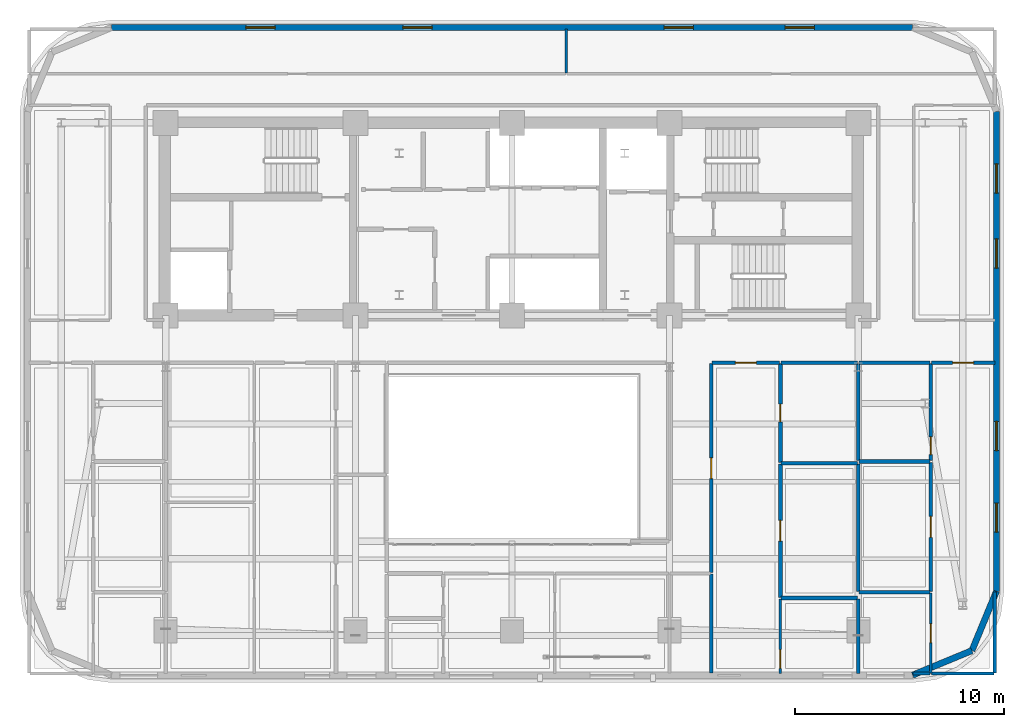
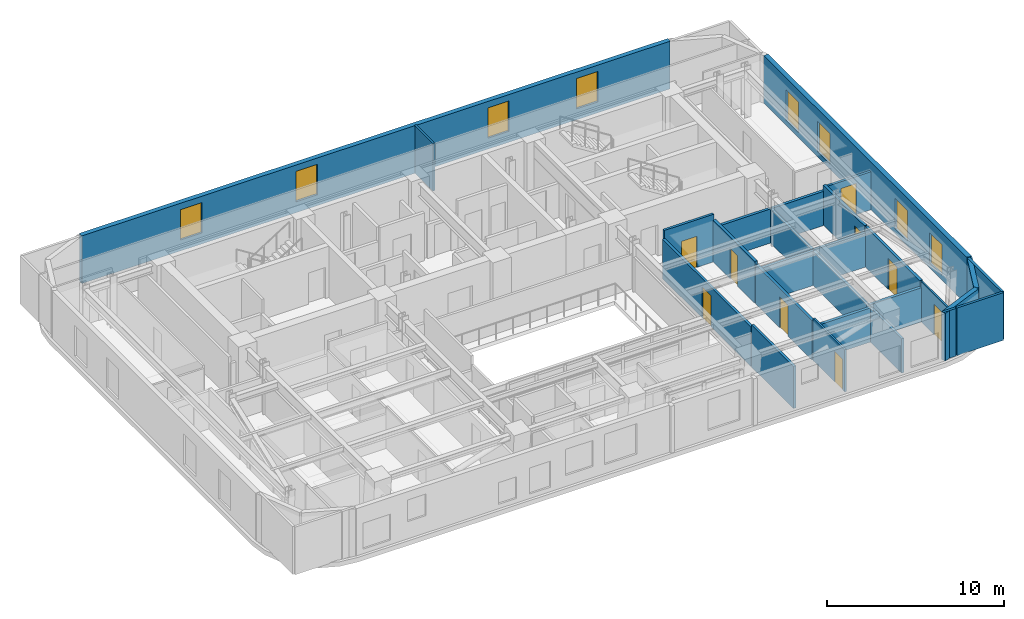
# One storey, part 9 of 13: 27 walls, 9 doors, 8 windows, 17 openings.
"""IFC4 building model written with IfcOpenShell, lengths in metres."""

from ifc_helpers import new_model, si_unit, direction, frame, frame_2d, origin, place, context, subcontext, project, spatial, rectangle, extrude, material, layer, layer_set, type_object, element, fill, save


model = new_model("IFC4")

# Units and contexts
model_context = context("Model", 3, precision=1e-05, world=origin(), true_north=direction((0.0, 1.0)))
body_context = subcontext(model_context, "Body", "Model", "MODEL_VIEW")
ifc_project = project(units=[si_unit("LENGTHUNIT", "METRE"), si_unit("AREAUNIT", "SQUARE_METRE"), si_unit("VOLUMEUNIT", "CUBIC_METRE"), si_unit("PLANEANGLEUNIT", "RADIAN"), si_unit("MASSUNIT", "GRAM", prefix="KILO")], contexts=[model_context])

# Site, building, storey
site_placement = place(None, origin())
site = spatial("IfcSite", under=ifc_project, at=site_placement, CompositionType="ELEMENT")
building_placement = place(site_placement, origin())
building = spatial("IfcBuilding", under=site, at=building_placement, Name="Zarnavel Station Tower", CompositionType="ELEMENT")
storey_placement = place(building_placement, frame((0.0, 0.0, 148.35009765625)))
storey = spatial("IfcBuildingStorey", under=building, at=storey_placement, Name="L40", CompositionType="ELEMENT", Elevation=148.35009765625)

# Walls
ifc_material_1 = material(Name="Precast concrete C45/55 (Dark Basalt Finish)", Category="masonry")
ifc_layer_1 = layer(ifc_material_1, 0.300048828125)
ifc_layer_set_1 = layer_set([ifc_layer_1], Name="EW_BASALT_300")
wall_type_1 = type_object("IfcWallType", Name="EW_BASALT_300", PredefinedType="SOLIDWALL", material=ifc_layer_set_1)
wall_1_placement = place(storey_placement, frame((50.842529296875, 11.75732421875, 0.0), z_axis=(0.0, 0.0, 1.0), x_axis=(-0.92389884758, -0.382636798336, 0.0)))
element("IfcWall", 1, at=wall_1_placement, inside=storey, type_object=wall_type_1, Name="L40 Exterior Basalt Masonry Frame Wall 01", PredefinedType="SOLIDWALL", context=body_context, shape_type="SweptSolid", body=[
    extrude(rectangle(XDim=3.07666015625, YDim=0.300048828125, at=frame_2d((1.538330078125, 0.0))), origin(), (0.0, 0.0, 1.0), 3.289794921875),
])
wall_2_placement = place(storey_placement, frame((52.02001953125, 14.60009765625, 0.0), z_axis=(0.0, 0.0, 1.0), x_axis=(-0.382676475685, -0.923882414032, 0.0)))
element("IfcWall", 2, at=wall_2_placement, inside=storey, type_object=wall_type_1, Name="L40 Exterior Basalt Masonry Frame Wall 02", PredefinedType="SOLIDWALL", context=body_context, shape_type="SweptSolid", body=[
    extrude(rectangle(XDim=3.076904296875, YDim=0.300048828125, at=frame_2d((1.53857421875, 0.0))), origin(), (0.0, 0.0, 1.0), 3.289794921875),
])

# Wall, openings, windows
wall_3_placement = place(storey_placement, frame((52.02001953125, 37.60009765625, 0.0), z_axis=(0.0, 0.0, 1.0), x_axis=(0.0, -1.0, 0.0)))
wall_3 = element("IfcWall", 3, at=wall_3_placement, inside=storey, type_object=wall_type_1, Name="L40 Exterior Basalt Masonry Frame Wall 03", PredefinedType="SOLIDWALL", context=body_context, shape_type="SweptSolid", body=[
    extrude(rectangle(XDim=23.0, YDim=0.300048828125, at=frame_2d((11.5, 0.0))), origin(), (0.0, 0.0, 1.0), 3.289794921875),
])
opening_1_placement = place(wall_3_placement, frame((2.51318359375, 0.0, 0.340087890625)))
opening_1 = element("IfcOpeningElement", 4, at=opening_1_placement, cuts=wall_3, Name="Opening WN04", PredefinedType="OPENING", context=body_context, shape_type="SweptSolid", body=[
    extrude(rectangle(XDim=1.39990234375, YDim=2.10009765625, at=frame_2d((0.699951171875, 1.050048828125))), frame((0.0, 0.159912109375, 0.0), z_axis=(0.0, -1.0, 0.0), x_axis=(1.0, 0.0, 0.0)), (0.0, 0.0, 1.0), 0.320068359375),
])
opening_2_placement = place(wall_3_placement, frame((6.106689453125, 0.0, 0.340087890625)))
opening_2 = element("IfcOpeningElement", 5, at=opening_2_placement, cuts=wall_3, Name="Opening WN04", PredefinedType="OPENING", context=body_context, shape_type="SweptSolid", body=[
    extrude(rectangle(XDim=1.39990234375, YDim=2.10009765625, at=frame_2d((0.699951171875, 1.050048828125))), frame((0.0, 0.159912109375, 0.0), z_axis=(0.0, -1.0, 0.0), x_axis=(1.0, 0.0, 0.0)), (0.0, 0.0, 1.0), 0.320068359375),
])
opening_3_placement = place(wall_3_placement, frame((14.860107421875, 0.0, 0.340087890625)))
opening_3 = element("IfcOpeningElement", 6, at=opening_3_placement, cuts=wall_3, Name="Opening WN04", PredefinedType="OPENING", context=body_context, shape_type="SweptSolid", body=[
    extrude(rectangle(XDim=1.39990234375, YDim=2.10009765625, at=frame_2d((0.699951171875, 1.050048828125))), frame((0.0, 0.159912109375, 0.0), z_axis=(0.0, -1.0, 0.0), x_axis=(1.0, 0.0, 0.0)), (0.0, 0.0, 1.0), 0.320068359375),
])
opening_4_placement = place(wall_3_placement, frame((18.77001953125, 0.0, 0.340087890625)))
opening_4 = element("IfcOpeningElement", 7, at=opening_4_placement, cuts=wall_3, Name="Opening WN04", PredefinedType="OPENING", context=body_context, shape_type="SweptSolid", body=[
    extrude(rectangle(XDim=1.39990234375, YDim=2.10009765625, at=frame_2d((0.699951171875, 1.050048828125))), frame((0.0, 0.159912109375, 0.0), z_axis=(0.0, -1.0, 0.0), x_axis=(1.0, 0.0, 0.0)), (0.0, 0.0, 1.0), 0.320068359375),
])
ifc_material_2 = material(Name="Thermally Broken Black Aluminium and Low-E Dark Glass", Category="aluminium")
window_type = type_object("IfcWindowType", Name="WN_1400x2100", PartitioningType="DOUBLE_PANEL_VERTICAL", PredefinedType="WINDOW", material=ifc_material_2)
window_1_placement = place(opening_1_placement, origin())
window_1 = element("IfcWindow", 8, at=window_1_placement, inside=storey, type_object=window_type, Name="L40 Recessed Facade Window 01", OverallHeight=2.10009765625, OverallWidth=1.39990234375, PartitioningType="SINGLE_PANEL", PredefinedType="WINDOW", context=body_context, shape_type="SweptSolid", body=[
    extrude(rectangle(XDim=1.39990234375, YDim=2.10009765625, at=frame_2d((0.699951171875, 1.050048828125))), frame((0.0, 0.030029296875, 0.0), z_axis=(0.0, -1.0, 0.0), x_axis=(1.0, 0.0, 0.0)), (0.0, 0.0, 1.0), 0.06005859375),
])
fill(opening_1, window_1)
window_2_placement = place(opening_2_placement, origin())
window_2 = element("IfcWindow", 9, at=window_2_placement, inside=storey, type_object=window_type, Name="L40 Recessed Facade Window 02", OverallHeight=2.10009765625, OverallWidth=1.39990234375, PartitioningType="SINGLE_PANEL", PredefinedType="WINDOW", context=body_context, shape_type="SweptSolid", body=[
    extrude(rectangle(XDim=1.39990234375, YDim=2.10009765625, at=frame_2d((0.699951171875, 1.050048828125))), frame((0.0, 0.030029296875, 0.0), z_axis=(0.0, -1.0, 0.0), x_axis=(1.0, 0.0, 0.0)), (0.0, 0.0, 1.0), 0.06005859375),
])
fill(opening_2, window_2)
window_3_placement = place(opening_3_placement, origin())
window_3 = element("IfcWindow", 10, at=window_3_placement, inside=storey, type_object=window_type, Name="L40 Recessed Facade Window 03", OverallHeight=2.10009765625, OverallWidth=1.39990234375, PartitioningType="SINGLE_PANEL", PredefinedType="WINDOW", context=body_context, shape_type="SweptSolid", body=[
    extrude(rectangle(XDim=1.39990234375, YDim=2.10009765625, at=frame_2d((0.699951171875, 1.050048828125))), frame((0.0, 0.030029296875, 0.0), z_axis=(0.0, -1.0, 0.0), x_axis=(1.0, 0.0, 0.0)), (0.0, 0.0, 1.0), 0.06005859375),
])
fill(opening_3, window_3)
window_4_placement = place(opening_4_placement, origin())
window_4 = element("IfcWindow", 11, at=window_4_placement, inside=storey, type_object=window_type, Name="L40 Recessed Facade Window 04", OverallHeight=2.10009765625, OverallWidth=1.39990234375, PartitioningType="SINGLE_PANEL", PredefinedType="WINDOW", context=body_context, shape_type="SweptSolid", body=[
    extrude(rectangle(XDim=1.39990234375, YDim=2.10009765625, at=frame_2d((0.699951171875, 1.050048828125))), frame((0.0, 0.030029296875, 0.0), z_axis=(0.0, -1.0, 0.0), x_axis=(1.0, 0.0, 0.0)), (0.0, 0.0, 1.0), 0.06005859375),
])
fill(opening_4, window_4)

wall_4_placement = place(storey_placement, frame((9.60009765625, 41.6201171875, 0.0), z_axis=(0.0, 0.0, 1.0), x_axis=(1.0, 0.0, 0.0)))
wall_4 = element("IfcWall", 12, at=wall_4_placement, inside=storey, type_object=wall_type_1, Name="L40 Exterior Basalt Masonry Frame Wall 06", PredefinedType="SOLIDWALL", context=body_context, shape_type="SweptSolid", body=[
    extrude(rectangle(XDim=38.39990234375, YDim=0.300048828125, at=frame_2d((19.199951171875, 0.0))), origin(), (0.0, 0.0, 1.0), 3.289794921875),
])
opening_5_placement = place(wall_4_placement, frame((6.44677734375, 0.0, 0.75)))
opening_5 = element("IfcOpeningElement", 13, at=opening_5_placement, cuts=wall_4, Name="Opening WN04", PredefinedType="OPENING", context=body_context, shape_type="SweptSolid", body=[
    extrude(rectangle(XDim=1.39990234375, YDim=2.10009765625, at=frame_2d((0.699951171875, 1.050048828125))), frame((0.0, 0.159912109375, 0.0), z_axis=(0.0, -1.0, 0.0), x_axis=(1.0, 0.0, 0.0)), (0.0, 0.0, 1.0), 0.320068359375),
])
opening_6_placement = place(wall_4_placement, frame((13.973388671875, 0.0, 0.75)))
opening_6 = element("IfcOpeningElement", 14, at=opening_6_placement, cuts=wall_4, Name="Opening WN04", PredefinedType="OPENING", context=body_context, shape_type="SweptSolid", body=[
    extrude(rectangle(XDim=1.39990234375, YDim=2.10009765625, at=frame_2d((0.699951171875, 1.050048828125))), frame((0.0, 0.159912109375, 0.0), z_axis=(0.0, -1.0, 0.0), x_axis=(1.0, 0.0, 0.0)), (0.0, 0.0, 1.0), 0.320068359375),
])
opening_7_placement = place(wall_4_placement, frame((26.493408203125, 0.0, 0.75)))
opening_7 = element("IfcOpeningElement", 15, at=opening_7_placement, cuts=wall_4, Name="Opening WN04", PredefinedType="OPENING", context=body_context, shape_type="SweptSolid", body=[
    extrude(rectangle(XDim=1.39990234375, YDim=2.10009765625, at=frame_2d((0.699951171875, 1.050048828125))), frame((0.0, 0.159912109375, 0.0), z_axis=(0.0, -1.0, 0.0), x_axis=(1.0, 0.0, 0.0)), (0.0, 0.0, 1.0), 0.320068359375),
])
opening_8_placement = place(wall_4_placement, frame((32.28662109375, 0.0, 0.75)))
opening_8 = element("IfcOpeningElement", 16, at=opening_8_placement, cuts=wall_4, Name="Opening WN04", PredefinedType="OPENING", context=body_context, shape_type="SweptSolid", body=[
    extrude(rectangle(XDim=1.39990234375, YDim=2.10009765625, at=frame_2d((0.699951171875, 1.050048828125))), frame((0.0, 0.159912109375, 0.0), z_axis=(0.0, -1.0, 0.0), x_axis=(1.0, 0.0, 0.0)), (0.0, 0.0, 1.0), 0.320068359375),
])
window_5_placement = place(opening_5_placement, origin())
window_5 = element("IfcWindow", 17, at=window_5_placement, inside=storey, type_object=window_type, Name="L40 Recessed Facade Window 01", OverallHeight=2.10009765625, OverallWidth=1.39990234375, PartitioningType="SINGLE_PANEL", PredefinedType="WINDOW", context=body_context, shape_type="SweptSolid", body=[
    extrude(rectangle(XDim=1.39990234375, YDim=2.10009765625, at=frame_2d((0.699951171875, 1.050048828125))), frame((0.0, 0.030029296875, 0.0), z_axis=(0.0, -1.0, 0.0), x_axis=(1.0, 0.0, 0.0)), (0.0, 0.0, 1.0), 0.06005859375),
])
fill(opening_5, window_5)
window_6_placement = place(opening_6_placement, origin())
window_6 = element("IfcWindow", 18, at=window_6_placement, inside=storey, type_object=window_type, Name="L40 Recessed Facade Window 02", OverallHeight=2.10009765625, OverallWidth=1.39990234375, PartitioningType="SINGLE_PANEL", PredefinedType="WINDOW", context=body_context, shape_type="SweptSolid", body=[
    extrude(rectangle(XDim=1.39990234375, YDim=2.10009765625, at=frame_2d((0.699951171875, 1.050048828125))), frame((0.0, 0.030029296875, 0.0), z_axis=(0.0, -1.0, 0.0), x_axis=(1.0, 0.0, 0.0)), (0.0, 0.0, 1.0), 0.06005859375),
])
fill(opening_6, window_6)
window_7_placement = place(opening_7_placement, origin())
window_7 = element("IfcWindow", 19, at=window_7_placement, inside=storey, type_object=window_type, Name="L40 Recessed Facade Window 03", OverallHeight=2.10009765625, OverallWidth=1.39990234375, PartitioningType="SINGLE_PANEL", PredefinedType="WINDOW", context=body_context, shape_type="SweptSolid", body=[
    extrude(rectangle(XDim=1.39990234375, YDim=2.10009765625, at=frame_2d((0.699951171875, 1.050048828125))), frame((0.0, 0.030029296875, 0.0), z_axis=(0.0, -1.0, 0.0), x_axis=(1.0, 0.0, 0.0)), (0.0, 0.0, 1.0), 0.06005859375),
])
fill(opening_7, window_7)
window_8_placement = place(opening_8_placement, origin())
window_8 = element("IfcWindow", 20, at=window_8_placement, inside=storey, type_object=window_type, Name="L40 Recessed Facade Window 04", OverallHeight=2.10009765625, OverallWidth=1.39990234375, PartitioningType="SINGLE_PANEL", PredefinedType="WINDOW", context=body_context, shape_type="SweptSolid", body=[
    extrude(rectangle(XDim=1.39990234375, YDim=2.10009765625, at=frame_2d((0.699951171875, 1.050048828125))), frame((0.0, 0.030029296875, 0.0), z_axis=(0.0, -1.0, 0.0), x_axis=(1.0, 0.0, 0.0)), (0.0, 0.0, 1.0), 0.06005859375),
])
fill(opening_8, window_8)

# Wall, opening, door
ifc_material_3 = material(Name="Gypsum Twin-Stud Acoustic Fire Partition", Category="concrete")
ifc_layer_2 = layer(ifc_material_3, 0.159912109375)
ifc_layer_set_2 = layer_set([ifc_layer_2], Name="PT_DEMISE_160")
wall_type_2 = type_object("IfcWallType", Name="PT_DEMISE_160", PredefinedType="PARTITIONING", material=ifc_layer_set_2)
wall_5_placement = place(storey_placement, frame((38.389892578125, 25.550048828125, 0.0), z_axis=(0.0, 0.0, 1.0), x_axis=(1.0, 0.0, 0.0)))
wall_5 = element("IfcWall", 21, at=wall_5_placement, inside=storey, type_object=wall_type_2, Name="L40 Partition COR-S-UE1LV", PredefinedType="PARTITIONING", context=body_context, shape_type="SweptSolid", body=[
    extrude(rectangle(XDim=3.233154296875, YDim=0.159912109375, at=frame_2d((1.61669921875, 0.0))), origin(), (0.0, 0.0, 1.0), 3.289794921875),
])
opening_9_placement = place(wall_5_placement, frame((1.116455078125, 0.0, 0.0)))
opening_9 = element("IfcOpeningElement", 22, at=opening_9_placement, cuts=wall_5, Name="Opening FD02", PredefinedType="OPENING", context=body_context, shape_type="SweptSolid", body=[
    extrude(rectangle(XDim=1.0, YDim=2.14990234375, at=frame_2d((0.5, 1.074951171875))), frame((0.0, 0.08984375, 0.0), z_axis=(0.0, -1.0, 0.0), x_axis=(1.0, 0.0, 0.0)), (0.0, 0.0, 1.0), 0.179931640625),
])
ifc_material_4 = material(Name="Painted Galvanised Steel and Hardwood Leaf", Category="steel")
door_type_1 = type_object("IfcDoorType", Name="ID_ENTRY_1000", OperationType="NOTDEFINED", PredefinedType="DOOR", material=ifc_material_4)
door_1_placement = place(opening_9_placement, origin())
door_1 = element("IfcDoor", 23, at=door_1_placement, inside=storey, type_object=door_type_1, Name="L40 Door COR-S-UE1LV", OperationType="SINGLE_SWING_LEFT", OverallHeight=2.14990234375, OverallWidth=1.0, PredefinedType="DOOR", context=body_context, shape_type="SweptSolid", body=[
    extrude(rectangle(XDim=1.0, YDim=2.14990234375, at=frame_2d((0.5, 1.074951171875))), frame((0.0, 0.02490234375, 0.0), z_axis=(0.0, -1.0, 0.0), x_axis=(1.0, 0.0, 0.0)), (0.0, 0.0, 1.0), 0.050048828125),
])
fill(opening_9, door_1)

wall_6_placement = place(storey_placement, frame((48.906005859375, 25.550048828125, 0.0), z_axis=(0.0, 0.0, 1.0), x_axis=(1.0, 0.0, 0.0)))
wall_6 = element("IfcWall", 24, at=wall_6_placement, inside=storey, type_object=wall_type_2, Name="L40 Partition COR-S-UE2LV", PredefinedType="PARTITIONING", context=body_context, shape_type="SweptSolid", body=[
    extrude(rectangle(XDim=3.033935546875, YDim=0.159912109375, at=frame_2d((1.51708984375, 0.0))), origin(), (0.0, 0.0, 1.0), 2.619873046875),
])
opening_10_placement = place(wall_6_placement, frame((1.01708984375, 0.0, 0.0)))
opening_10 = element("IfcOpeningElement", 25, at=opening_10_placement, cuts=wall_6, Name="Opening FD02", PredefinedType="OPENING", context=body_context, shape_type="SweptSolid", body=[
    extrude(rectangle(XDim=1.0, YDim=2.14990234375, at=frame_2d((0.5, 1.074951171875))), frame((0.0, 0.08984375, 0.0), z_axis=(0.0, -1.0, 0.0), x_axis=(1.0, 0.0, 0.0)), (0.0, 0.0, 1.0), 0.179931640625),
])
door_2_placement = place(opening_10_placement, origin())
door_2 = element("IfcDoor", 26, at=door_2_placement, inside=storey, type_object=door_type_1, Name="L40 Door COR-S-UE2LV", OperationType="SINGLE_SWING_RIGHT", OverallHeight=2.14990234375, OverallWidth=1.0, PredefinedType="DOOR", context=body_context, shape_type="SweptSolid", body=[
    extrude(rectangle(XDim=1.0, YDim=2.14990234375, at=frame_2d((0.5, 1.074951171875))), frame((0.0, 0.02490234375, 0.0), z_axis=(0.0, -1.0, 0.0), x_axis=(1.0, 0.0, 0.0)), (0.0, 0.0, 1.0), 0.050048828125),
])
fill(opening_10, door_2)

wall_7_placement = place(storey_placement, frame((38.35009765625, 15.489990234375, 0.0), z_axis=(0.0, 0.0, 1.0), x_axis=(0.0, 1.0, 0.0)))
wall_7 = element("IfcWall", 27, at=wall_7_placement, inside=storey, type_object=wall_type_2, Name="L40 Partition COR-AE-UE1LV", PredefinedType="PARTITIONING", context=body_context, shape_type="SweptSolid", body=[
    extrude(rectangle(XDim=10.02001953125, YDim=0.159912109375, at=frame_2d((5.010009765625, 0.0))), origin(), (0.0, 0.0, 1.0), 2.719970703125),
])
opening_11_placement = place(wall_7_placement, frame((4.510009765625, 0.0, 0.0)))
opening_11 = element("IfcOpeningElement", 28, at=opening_11_placement, cuts=wall_7, Name="Opening FD02", PredefinedType="OPENING", context=body_context, shape_type="SweptSolid", body=[
    extrude(rectangle(XDim=1.0, YDim=2.14990234375, at=frame_2d((0.5, 1.074951171875))), frame((0.0, 0.08984375, 0.0), z_axis=(0.0, -1.0, 0.0), x_axis=(1.0, 0.0, 0.0)), (0.0, 0.0, 1.0), 0.179931640625),
])
door_3_placement = place(opening_11_placement, origin())
door_3 = element("IfcDoor", 29, at=door_3_placement, inside=storey, type_object=door_type_1, Name="L40 Door COR-AE-UE1LV", OperationType="SINGLE_SWING_LEFT", OverallHeight=2.14990234375, OverallWidth=1.0, PredefinedType="DOOR", context=body_context, shape_type="SweptSolid", body=[
    extrude(rectangle(XDim=1.0, YDim=2.14990234375, at=frame_2d((0.5, 1.074951171875))), frame((0.0, 0.02490234375, 0.0), z_axis=(0.0, -1.0, 0.0), x_axis=(1.0, 0.0, 0.0)), (0.0, 0.0, 1.0), 0.050048828125),
])
fill(opening_11, door_3)

# Walls
wall_8_placement = place(storey_placement, frame((45.39990234375, 10.659912109375, 0.0), z_axis=(0.0, 0.0, 1.0), x_axis=(0.0, 1.0, 0.0)))
element("IfcWall", 30, at=wall_8_placement, inside=storey, type_object=wall_type_2, Name="L40 Partition UE1B1-UE2B1", PredefinedType="PARTITIONING", context=body_context, shape_type="SweptSolid", body=[
    extrude(rectangle(XDim=3.572998046875, YDim=0.159912109375, at=frame_2d((1.78662109375, 0.0))), origin(), (0.0, 0.0, 1.0), 2.35986328125),
])
wall_9_placement = place(storey_placement, frame((38.35009765625, 10.68994140625, 0.0), z_axis=(0.0, 0.0, 1.0), x_axis=(0.0, 1.0, 0.0)))
element("IfcWall", 31, at=wall_9_placement, inside=storey, type_object=wall_type_2, Name="L40 Enclosure Wall UE1LV", PredefinedType="PARTITIONING", context=body_context, shape_type="SweptSolid", body=[
    extrude(rectangle(XDim=4.72998046875, YDim=0.159912109375, at=frame_2d((2.364990234375, 0.0))), origin(), (0.0, 0.0, 1.0), 2.909912109375),
])
wall_10_placement = place(storey_placement, frame((48.89599609375, 10.659912109375, 0.0), z_axis=(0.0, 0.0, 1.0), x_axis=(1.0, 0.0, 0.0)))
element("IfcWall", 32, at=wall_10_placement, inside=storey, type_object=wall_type_2, Name="L40 Enclosure Wall UE2LV", PredefinedType="PARTITIONING", context=body_context, shape_type="SweptSolid", body=[
    extrude(rectangle(XDim=3.013916015625, YDim=0.159912109375, at=frame_2d((1.5068359375, 0.0))), origin(), (0.0, 0.0, 1.0), 3.289794921875),
])
wall_11_placement = place(storey_placement, frame((51.93994140625, 10.68994140625, 0.0), z_axis=(0.0, 0.0, 1.0), x_axis=(0.0, 1.0, 0.0)))
element("IfcWall", 33, at=wall_11_placement, inside=storey, type_object=wall_type_2, Name="L40 Enclosure Wall UE2LV", PredefinedType="PARTITIONING", context=body_context, shape_type="SweptSolid", body=[
    extrude(rectangle(XDim=3.880126953125, YDim=0.159912109375, at=frame_2d((1.93994140625, 0.0))), origin(), (0.0, 0.0, 1.0), 3.289794921875),
])
wall_12_placement = place(storey_placement, frame((48.030029296875, 10.659912109375, 0.0), z_axis=(0.0, 0.0, 1.0), x_axis=(1.0, 0.0, 0.0)))
element("IfcWall", 34, at=wall_12_placement, inside=storey, type_object=wall_type_2, Name="L40 Enclosure Wall UE2B1", PredefinedType="PARTITIONING", context=body_context, shape_type="SweptSolid", body=[
    extrude(rectangle(XDim=0.805908203125, YDim=0.159912109375, at=frame_2d((0.40283203125, 0.0))), origin(), (0.0, 0.0, 1.0), 3.289794921875),
])
ifc_material_5 = material(Name="Gypsum Metal-Stud Interior Partition", Category="concrete")
ifc_layer_3 = layer(ifc_material_5, 0.1201171875)
ifc_layer_set_3 = layer_set([ifc_layer_3], Name="PT_ROOM_120")
wall_type_3 = type_object("IfcWallType", Name="PT_ROOM_120", PredefinedType="PARTITIONING", material=ifc_layer_set_3)
wall_13_placement = place(storey_placement, frame((31.39990234375, 39.43994140625, 0.0), z_axis=(0.0, 0.0, 1.0), x_axis=(0.0, 1.0, 0.0)))
element("IfcWall", 35, at=wall_13_placement, inside=storey, type_object=wall_type_3, Name="L40 Partition NGYM-NBRD", PredefinedType="PARTITIONING", context=body_context, shape_type="SweptSolid", body=[
    extrude(rectangle(XDim=2.10009765625, YDim=0.1201171875, at=frame_2d((1.050048828125, 0.0))), origin(), (0.0, 0.0, 1.0), 3.289794921875),
])

# Wall, opening, door
wall_14_placement = place(storey_placement, frame((41.6630859375, 10.659912109375, 0.0), z_axis=(0.0, 0.0, 1.0), x_axis=(0.0, 1.0, 0.0)))
wall_14 = element("IfcWall", 36, at=wall_14_placement, inside=storey, type_object=wall_type_3, Name="L40 Partition UE1LV-UE1B1", PredefinedType="PARTITIONING", context=body_context, shape_type="SweptSolid", body=[
    extrude(rectangle(XDim=3.572998046875, YDim=0.1201171875, at=frame_2d((1.78662109375, 0.0))), origin(), (0.0, 0.0, 1.0), 2.909912109375),
])
opening_12_placement = place(wall_14_placement, frame((0.23974609375, 0.0, 0.0)))
opening_12 = element("IfcOpeningElement", 37, at=opening_12_placement, cuts=wall_14, Name="Opening ID01", PredefinedType="OPENING", context=body_context, shape_type="SweptSolid", body=[
    extrude(rectangle(XDim=0.89990234375, YDim=2.10009765625, at=frame_2d((0.449951171875, 1.050048828125))), frame((0.0, 0.070068359375, 0.0), z_axis=(0.0, -1.0, 0.0), x_axis=(1.0, 0.0, 0.0)), (0.0, 0.0, 1.0), 0.14013671875),
])
ifc_material_6 = material(Name="Painted Galvanised Steel and Hardwood Leaf", Category="steel")
door_type_2 = type_object("IfcDoorType", Name="ID_ROOM_900", OperationType="NOTDEFINED", PredefinedType="DOOR", material=ifc_material_6)
door_4_placement = place(opening_12_placement, origin())
door_4 = element("IfcDoor", 38, at=door_4_placement, inside=storey, type_object=door_type_2, Name="L40 Door UE1LV-UE1B1", OperationType="SINGLE_SWING_LEFT", OverallHeight=2.10009765625, OverallWidth=0.89990234375, PredefinedType="DOOR", context=body_context, shape_type="SweptSolid", body=[
    extrude(rectangle(XDim=0.89990234375, YDim=2.10009765625, at=frame_2d((0.449951171875, 1.050048828125))), frame((0.0, 0.02490234375, 0.0), z_axis=(0.0, -1.0, 0.0), x_axis=(1.0, 0.0, 0.0)), (0.0, 0.0, 1.0), 0.050048828125),
])
fill(opening_12, door_4)

wall_15_placement = place(storey_placement, frame((48.865966796875, 10.659912109375, 0.0), z_axis=(0.0, 0.0, 1.0), x_axis=(0.0, 1.0, 0.0)))
wall_15 = element("IfcWall", 39, at=wall_15_placement, inside=storey, type_object=wall_type_3, Name="L40 Partition UE2LV-UE2B1", PredefinedType="PARTITIONING", context=body_context, shape_type="SweptSolid", body=[
    extrude(rectangle(XDim=3.85498046875, YDim=0.1201171875, at=frame_2d((1.927490234375, 0.0))), origin(), (0.0, 0.0, 1.0), 2.77001953125),
])
opening_13_placement = place(wall_15_placement, frame((1.4775390625, 0.0, 0.0)))
opening_13 = element("IfcOpeningElement", 40, at=opening_13_placement, cuts=wall_15, Name="Opening ID01", PredefinedType="OPENING", context=body_context, shape_type="SweptSolid", body=[
    extrude(rectangle(XDim=0.89990234375, YDim=2.10009765625, at=frame_2d((0.449951171875, 1.050048828125))), frame((0.0, 0.070068359375, 0.0), z_axis=(0.0, -1.0, 0.0), x_axis=(1.0, 0.0, 0.0)), (0.0, 0.0, 1.0), 0.14013671875),
])
door_5_placement = place(opening_13_placement, origin())
door_5 = element("IfcDoor", 41, at=door_5_placement, inside=storey, type_object=door_type_2, Name="L40 Door UE2LV-UE2B1", OperationType="SINGLE_SWING_RIGHT", OverallHeight=2.10009765625, OverallWidth=0.89990234375, PredefinedType="DOOR", context=body_context, shape_type="SweptSolid", body=[
    extrude(rectangle(XDim=0.89990234375, YDim=2.10009765625, at=frame_2d((0.449951171875, 1.050048828125))), frame((0.0, 0.02490234375, 0.0), z_axis=(0.0, -1.0, 0.0), x_axis=(1.0, 0.0, 0.0)), (0.0, 0.0, 1.0), 0.050048828125),
])
fill(opening_13, door_5)

# Walls
ifc_material_7 = material(Name="Moisture-Resistant Plumbing Chase Wall", Category="concrete")
ifc_layer_4 = layer(ifc_material_7, 0.179931640625)
ifc_layer_set_4 = layer_set([ifc_layer_4], Name="PW_PLUMB_180")
wall_type_4 = type_object("IfcWallType", Name="PW_PLUMB_180", PredefinedType="PLUMBINGWALL", material=ifc_layer_set_4)
wall_16_placement = place(storey_placement, frame((41.702880859375, 25.550048828125, 0.0), z_axis=(0.0, 0.0, 1.0), x_axis=(1.0, 0.0, 0.0)))
element("IfcWall", 42, at=wall_16_placement, inside=storey, type_object=wall_type_4, Name="L40 Partition COR-S-UE1BA", PredefinedType="PLUMBINGWALL", context=body_context, shape_type="SweptSolid", body=[
    extrude(rectangle(XDim=3.6572265625, YDim=0.179931640625, at=frame_2d((1.82861328125, 0.0))), origin(), (0.0, 0.0, 1.0), 2.35986328125),
])
wall_17_placement = place(storey_placement, frame((45.43994140625, 25.550048828125, 0.0), z_axis=(0.0, 0.0, 1.0), x_axis=(1.0, 0.0, 0.0)))
element("IfcWall", 43, at=wall_17_placement, inside=storey, type_object=wall_type_4, Name="L40 Partition COR-S-UE2BA", PredefinedType="PLUMBINGWALL", context=body_context, shape_type="SweptSolid", body=[
    extrude(rectangle(XDim=3.385986328125, YDim=0.179931640625, at=frame_2d((1.69287109375, 0.0))), origin(), (0.0, 0.0, 1.0), 2.35986328125),
])

# Wall, opening, door
wall_18_placement = place(storey_placement, frame((41.6630859375, 14.31298828125, 0.0), z_axis=(0.0, 0.0, 1.0), x_axis=(0.0, 1.0, 0.0)))
wall_18 = element("IfcWall", 44, at=wall_18_placement, inside=storey, type_object=wall_type_4, Name="L40 Partition UE1LV-UE1KT", PredefinedType="PLUMBINGWALL", context=body_context, shape_type="SweptSolid", body=[
    extrude(rectangle(XDim=6.380126953125, YDim=0.179931640625, at=frame_2d((3.18994140625, 0.0))), origin(), (0.0, 0.0, 1.0), 2.719970703125),
])
opening_14_placement = place(wall_18_placement, frame((2.68994140625, 0.0, 0.0)))
opening_14 = element("IfcOpeningElement", 45, at=opening_14_placement, cuts=wall_18, Name="Opening FD02", PredefinedType="OPENING", context=body_context, shape_type="SweptSolid", body=[
    extrude(rectangle(XDim=1.0, YDim=2.14990234375, at=frame_2d((0.5, 1.074951171875))), frame((0.0, 0.099853515625, 0.0), z_axis=(0.0, -1.0, 0.0), x_axis=(1.0, 0.0, 0.0)), (0.0, 0.0, 1.0), 0.199951171875),
])
door_6_placement = place(opening_14_placement, origin())
door_6 = element("IfcDoor", 46, at=door_6_placement, inside=storey, type_object=door_type_1, Name="L40 Door UE1LV-UE1KT", OperationType="SINGLE_SWING_RIGHT", OverallHeight=2.14990234375, OverallWidth=1.0, PredefinedType="DOOR", context=body_context, shape_type="SweptSolid", body=[
    extrude(rectangle(XDim=1.0, YDim=2.14990234375, at=frame_2d((0.5, 1.074951171875))), frame((0.0, 0.02490234375, 0.0), z_axis=(0.0, -1.0, 0.0), x_axis=(1.0, 0.0, 0.0)), (0.0, 0.0, 1.0), 0.050048828125),
])
fill(opening_14, door_6)

wall_19_placement = place(storey_placement, frame((41.6630859375, 20.77294921875, 0.0), z_axis=(0.0, 0.0, 1.0), x_axis=(0.0, 1.0, 0.0)))
wall_19 = element("IfcWall", 47, at=wall_19_placement, inside=storey, type_object=wall_type_4, Name="L40 Partition UE1LV-UE1BA", PredefinedType="PLUMBINGWALL", context=body_context, shape_type="SweptSolid", body=[
    extrude(rectangle(XDim=4.737060546875, YDim=0.179931640625, at=frame_2d((2.36865234375, 0.0))), origin(), (0.0, 0.0, 1.0), 2.8798828125),
])
opening_15_placement = place(wall_19_placement, frame((1.943603515625, 0.0, 0.0)))
opening_15 = element("IfcOpeningElement", 48, at=opening_15_placement, cuts=wall_19, Name="Opening ID02", PredefinedType="OPENING", context=body_context, shape_type="SweptSolid", body=[
    extrude(rectangle(XDim=0.85009765625, YDim=2.10009765625, at=frame_2d((0.425048828125, 1.050048828125))), frame((0.0, 0.099853515625, 0.0), z_axis=(0.0, -1.0, 0.0), x_axis=(1.0, 0.0, 0.0)), (0.0, 0.0, 1.0), 0.199951171875),
])
ifc_material_8 = material(Name="Painted Galvanised Steel and Hardwood Leaf", Category="steel")
door_type_3 = type_object("IfcDoorType", Name="ID_BATH_850", OperationType="NOTDEFINED", PredefinedType="DOOR", material=ifc_material_8)
door_7_placement = place(opening_15_placement, origin())
door_7 = element("IfcDoor", 49, at=door_7_placement, inside=storey, type_object=door_type_3, Name="L40 Door UE1LV-UE1BA", OperationType="SINGLE_SWING_LEFT", OverallHeight=2.10009765625, OverallWidth=0.85009765625, PredefinedType="DOOR", context=body_context, shape_type="SweptSolid", body=[
    extrude(rectangle(XDim=0.85009765625, YDim=2.10009765625, at=frame_2d((0.425048828125, 1.050048828125))), frame((0.0, 0.02490234375, 0.0), z_axis=(0.0, -1.0, 0.0), x_axis=(1.0, 0.0, 0.0)), (0.0, 0.0, 1.0), 0.050048828125),
])
fill(opening_15, door_7)

# Walls
for number, where, z_axis, x_axis, name in (
    (50, (41.702880859375, 14.27294921875, 0.0), (0.0, 0.0, 1.0), (1.0, 0.0, 0.0), "L40 Partition UE1B1-UE1KT"),
    (51, (41.702880859375, 20.73291015625, 0.0), (0.0, 0.0, 1.0), (1.0, 0.0, 0.0), "L40 Partition UE1KT-UE1BA"),
):
    element("IfcWall", number, at=place(storey_placement, frame(where, z_axis=z_axis, x_axis=x_axis)), inside=storey, type_object=wall_type_4, Name=name, PredefinedType="PLUMBINGWALL", context=body_context, shape_type="SweptSolid", body=[
        extrude(rectangle(XDim=3.6572265625, YDim=0.179931640625, at=frame_2d((1.82861328125, 0.0))), origin(), (0.0, 0.0, 1.0), 2.35986328125),
    ])
wall_20_placement = place(storey_placement, frame((45.39990234375, 14.594970703125, 0.0), z_axis=(0.0, 0.0, 1.0), x_axis=(0.0, 1.0, 0.0)))
element("IfcWall", 52, at=wall_20_placement, inside=storey, type_object=wall_type_4, Name="L40 Partition UE1KT-UE2KT", PredefinedType="PLUMBINGWALL", context=body_context, shape_type="SweptSolid", body=[
    extrude(rectangle(XDim=6.09814453125, YDim=0.179931640625, at=frame_2d((3.049072265625, 0.0))), origin(), (0.0, 0.0, 1.0), 2.35986328125),
])
wall_21_placement = place(storey_placement, frame((45.39990234375, 20.862060546875, 0.0), z_axis=(0.0, 0.0, 1.0), x_axis=(0.0, 1.0, 0.0)))
element("IfcWall", 53, at=wall_21_placement, inside=storey, type_object=wall_type_4, Name="L40 Partition UE1BA-UE2BA", PredefinedType="PLUMBINGWALL", context=body_context, shape_type="SweptSolid", body=[
    extrude(rectangle(XDim=4.64794921875, YDim=0.179931640625, at=frame_2d((2.323974609375, 0.0))), origin(), (0.0, 0.0, 1.0), 2.35986328125),
])

# Wall, opening, door
wall_22_placement = place(storey_placement, frame((48.865966796875, 14.594970703125, 0.0), z_axis=(0.0, 0.0, 1.0), x_axis=(0.0, 1.0, 0.0)))
wall_22 = element("IfcWall", 54, at=wall_22_placement, inside=storey, type_object=wall_type_4, Name="L40 Partition UE2LV-UE2KT", PredefinedType="PLUMBINGWALL", context=body_context, shape_type="SweptSolid", body=[
    extrude(rectangle(XDim=6.18701171875, YDim=0.179931640625, at=frame_2d((3.093505859375, 0.0))), origin(), (0.0, 0.0, 1.0), 2.77001953125),
])
opening_16_placement = place(wall_22_placement, frame((2.593505859375, 0.0, 0.0)))
opening_16 = element("IfcOpeningElement", 55, at=opening_16_placement, cuts=wall_22, Name="Opening FD02", PredefinedType="OPENING", context=body_context, shape_type="SweptSolid", body=[
    extrude(rectangle(XDim=1.0, YDim=2.14990234375, at=frame_2d((0.5, 1.074951171875))), frame((0.0, 0.099853515625, 0.0), z_axis=(0.0, -1.0, 0.0), x_axis=(1.0, 0.0, 0.0)), (0.0, 0.0, 1.0), 0.199951171875),
])
door_8_placement = place(opening_16_placement, origin())
door_8 = element("IfcDoor", 56, at=door_8_placement, inside=storey, type_object=door_type_1, Name="L40 Door UE2LV-UE2KT", OperationType="SINGLE_SWING_LEFT", OverallHeight=2.14990234375, OverallWidth=1.0, PredefinedType="DOOR", context=body_context, shape_type="SweptSolid", body=[
    extrude(rectangle(XDim=1.0, YDim=2.14990234375, at=frame_2d((0.5, 1.074951171875))), frame((0.0, 0.02490234375, 0.0), z_axis=(0.0, -1.0, 0.0), x_axis=(1.0, 0.0, 0.0)), (0.0, 0.0, 1.0), 0.050048828125),
])
fill(opening_16, door_8)

wall_23_placement = place(storey_placement, frame((48.865966796875, 20.862060546875, 0.0), z_axis=(0.0, 0.0, 1.0), x_axis=(0.0, 1.0, 0.0)))
wall_23 = element("IfcWall", 57, at=wall_23_placement, inside=storey, type_object=wall_type_4, Name="L40 Partition UE2LV-UE2BA", PredefinedType="PLUMBINGWALL", context=body_context, shape_type="SweptSolid", body=[
    extrude(rectangle(XDim=4.64794921875, YDim=0.179931640625, at=frame_2d((2.323974609375, 0.0))), origin(), (0.0, 0.0, 1.0), 2.77001953125),
])
opening_17_placement = place(wall_23_placement, frame((0.28662109375, 0.0, 0.0)))
opening_17 = element("IfcOpeningElement", 58, at=opening_17_placement, cuts=wall_23, Name="Opening ID02", PredefinedType="OPENING", context=body_context, shape_type="SweptSolid", body=[
    extrude(rectangle(XDim=0.85009765625, YDim=2.10009765625, at=frame_2d((0.425048828125, 1.050048828125))), frame((0.0, 0.099853515625, 0.0), z_axis=(0.0, -1.0, 0.0), x_axis=(1.0, 0.0, 0.0)), (0.0, 0.0, 1.0), 0.199951171875),
])
door_9_placement = place(opening_17_placement, origin())
door_9 = element("IfcDoor", 59, at=door_9_placement, inside=storey, type_object=door_type_3, Name="L40 Door UE2LV-UE2BA", OperationType="SINGLE_SWING_RIGHT", OverallHeight=2.10009765625, OverallWidth=0.85009765625, PredefinedType="DOOR", context=body_context, shape_type="SweptSolid", body=[
    extrude(rectangle(XDim=0.85009765625, YDim=2.10009765625, at=frame_2d((0.425048828125, 1.050048828125))), frame((0.0, 0.02490234375, 0.0), z_axis=(0.0, -1.0, 0.0), x_axis=(1.0, 0.0, 0.0)), (0.0, 0.0, 1.0), 0.050048828125),
])
fill(opening_17, door_9)

# Walls
for number, where, z_axis, x_axis, name in (
    (60, (45.43994140625, 14.554931640625, 0.0), (0.0, 0.0, 1.0), (1.0, 0.0, 0.0), "L40 Partition UE2B1-UE2KT"),
    (61, (45.43994140625, 20.822021484375, 0.0), (0.0, 0.0, 1.0), (1.0, 0.0, 0.0), "L40 Partition UE2KT-UE2BA"),
):
    element("IfcWall", number, at=place(storey_placement, frame(where, z_axis=z_axis, x_axis=x_axis)), inside=storey, type_object=wall_type_4, Name=name, PredefinedType="PLUMBINGWALL", context=body_context, shape_type="SweptSolid", body=[
        extrude(rectangle(XDim=3.385986328125, YDim=0.179931640625, at=frame_2d((1.69287109375, 0.0))), origin(), (0.0, 0.0, 1.0), 2.35986328125),
    ])

save(model, "model.ifc")
